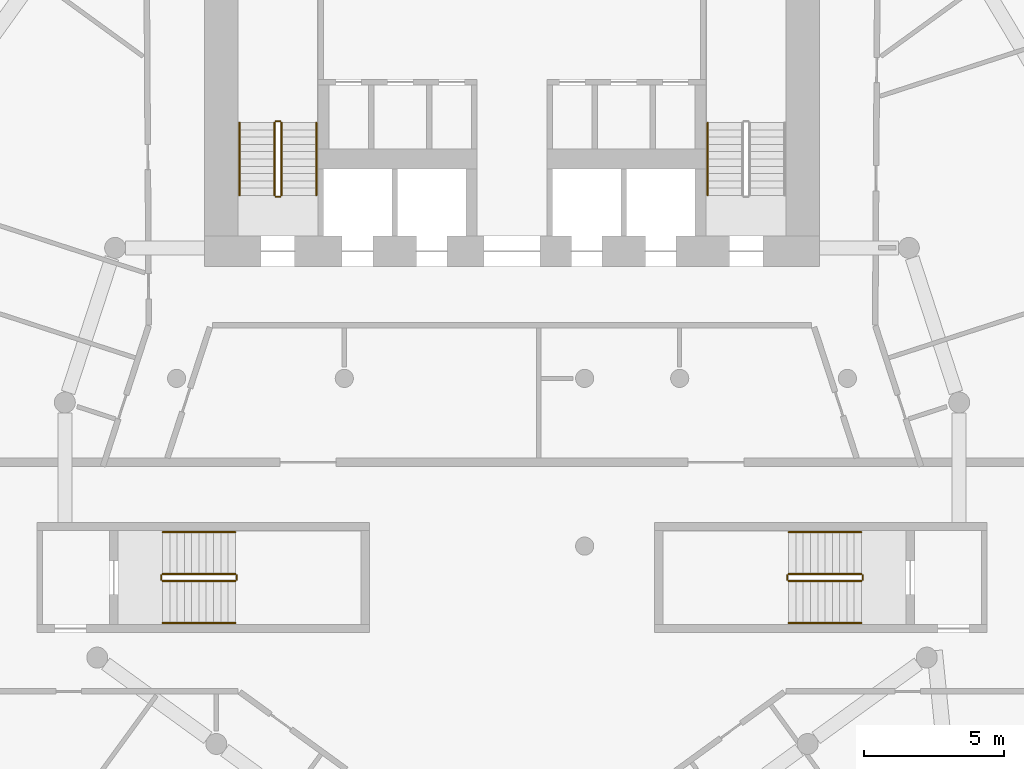
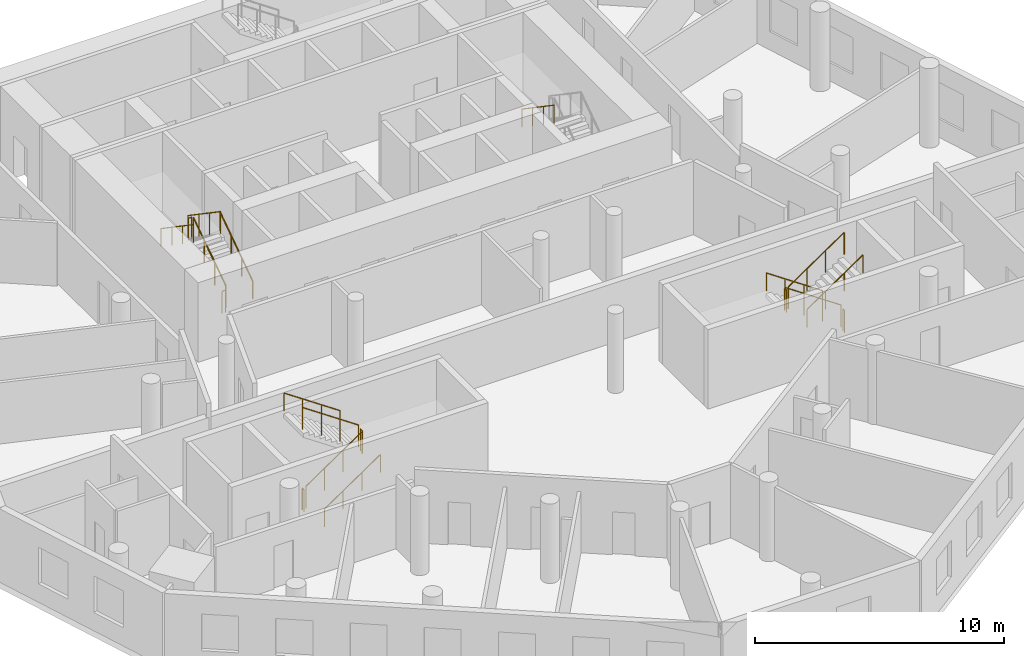
# One storey, part 8 of 9: 19 railings.
"""IFC4 building model written with IfcOpenShell, lengths in metres."""

import ifcopenshell
import ifcopenshell.guid

model = None  # the IFC model being written
_history = None  # IfcOwnerHistory: only IFC2X3 demands one
_inside = {}  # id of a spatial element -> (the spatial element, [elements in it])
_under = {}  # id of a project, library or spatial element -> (it, [spatial elements below it])
_declared = {}  # id of a project -> (the project, [libraries it declares])
_typed = {}  # id of a type object -> (the type object, [elements of that type])
_made_of = {}  # id of a material, layer set ... -> (it, [elements and type objects made of it])


def new_model(schema):
    """Start an empty IFC model of exactly this schema.

    Asked for "IFC4X3", IfcOpenShell would pick the latest addendum, in which some entities
    have other attributes; the version numbers below select the first issue.
    IFC2X3 requires an IfcOwnerHistory on every rooted entity: one is made here for all.
    """
    global model, _history
    if schema == "IFC4X3":
        model = ifcopenshell.file(schema_version=(4, 3, 0, 0))
    else:
        model = ifcopenshell.file(schema=schema)
    _inside.clear()
    _under.clear()
    _declared.clear()
    _typed.clear()
    _made_of.clear()
    _history = None
    if model.schema == "IFC2X3":
        org = make("IfcOrganization", Name="unknown")
        user = make(
            "IfcPersonAndOrganization",
            ThePerson=make("IfcPerson", FamilyName="unknown"),
            TheOrganization=org,
        )
        app = make(
            "IfcApplication",
            ApplicationDeveloper=org,
            Version="unknown",
            ApplicationFullName="unknown",
            ApplicationIdentifier="unknown",
        )
        _history = make(
            "IfcOwnerHistory",
            OwningUser=user,
            OwningApplication=app,
            ChangeAction="ADDED",
            CreationDate=0,
        )
    return model


def make(cls, **values):
    """One entity of the class cls with the attributes given. An attribute that is None is left unset."""
    return model.create_entity(
        cls, **{name: value for name, value in values.items() if value is not None}
    )


def rooted(cls, **values):
    """An entity with a GlobalId (a new one), such as an element, a storey or a relation."""
    return make(cls, GlobalId=ifcopenshell.guid.new(), OwnerHistory=_history, **values)


def si_unit(unit_type, name, prefix=None):
    """IfcSIUnit, for example si_unit("LENGTHUNIT", "METRE", prefix="MILLI")."""
    return make("IfcSIUnit", UnitType=unit_type, Prefix=prefix, Name=name)


def assignment(units):
    """IfcUnitAssignment: the units of a project."""
    return None if units is None else make("IfcUnitAssignment", Units=units)


def point(xyz):
    """IfcCartesianPoint."""
    return None if xyz is None else make("IfcCartesianPoint", Coordinates=xyz)


def direction(xyz):
    """IfcDirection."""
    return None if xyz is None else make("IfcDirection", DirectionRatios=xyz)


def frame(location, z_axis=None, x_axis=None):
    """IfcAxis2Placement3D, a coordinate frame: its origin and axes. An axis left out is left unset."""
    return make(
        "IfcAxis2Placement3D",
        Location=point(location),
        Axis=direction(z_axis),
        RefDirection=direction(x_axis),
    )


def frame_2d(location, x_axis=None):
    """IfcAxis2Placement2D, a coordinate frame in the plane: its origin and x axis."""
    return make(
        "IfcAxis2Placement2D", Location=point(location), RefDirection=direction(x_axis)
    )


def origin():
    """The frame at (0, 0, 0) with its axes left unset."""
    return frame((0.0, 0.0, 0.0))


def origin_2d():
    """The frame at (0, 0) in the plane with its x axis left unset."""
    return frame_2d((0.0, 0.0))


def place(relative_to, where):
    """IfcLocalPlacement: puts the frame where relative to a parent placement (None: the world)."""
    return make(
        "IfcLocalPlacement", PlacementRelTo=relative_to, RelativePlacement=where
    )


def context(
    kind, dimensions, precision=None, world=None, true_north=None, identifier=None
):
    """IfcGeometricRepresentationContext, for example the 3D "Model" context."""
    return make(
        "IfcGeometricRepresentationContext",
        ContextIdentifier=identifier,
        ContextType=kind,
        CoordinateSpaceDimension=dimensions,
        Precision=precision,
        WorldCoordinateSystem=world,
        TrueNorth=true_north,
    )


def subcontext(parent, identifier, kind, view, scale=None):
    """IfcGeometricRepresentationSubContext, for example "Body" below "Model"."""
    return make(
        "IfcGeometricRepresentationSubContext",
        ContextIdentifier=identifier,
        ContextType=kind,
        ParentContext=parent,
        TargetScale=scale,
        TargetView=view,
    )


def project(units=None, contexts=None):
    """IfcProject with its units and contexts."""
    return rooted(
        "IfcProject",
        Name="project",
        RepresentationContexts=contexts,
        UnitsInContext=assignment(units),
    )


def spatial(cls, under=None, at=None, **own):
    """A site, building, storey or space (cls), placed at a placement, below another one or the project."""
    s = rooted(cls, ObjectPlacement=at, **own)
    if under is not None:
        _under.setdefault(under.id(), (under, []))[1].append(s)
    return s


def profile(cls, at=None, kind="AREA", **sizes):
    """A parametric profile (cls). Its sizes go by their IFC names, for example OverallWidth=200.0."""
    return make(cls, ProfileType=kind, Position=at, **sizes)


def circle(**sizes):
    """IfcCircleProfileDef."""
    return profile("IfcCircleProfileDef", **sizes)


def extrude(swept, where, along, depth):
    """IfcExtrudedAreaSolid: the profile swept, set in the frame where, extruded along a direction by depth."""
    return make(
        "IfcExtrudedAreaSolid",
        SweptArea=swept,
        Position=where,
        ExtrudedDirection=direction(along),
        Depth=depth,
    )


def shape(context_of_items, identifier, shape_type, items):
    """IfcShapeRepresentation: the items that make up one representation, for example the "Body"."""
    return make(
        "IfcShapeRepresentation",
        ContextOfItems=context_of_items,
        RepresentationIdentifier=identifier,
        RepresentationType=shape_type,
        Items=items,
    )


def material(Name=None, Category=None):
    """IfcMaterial."""
    return make("IfcMaterial", Name=Name, Category=Category)


def made_of(thing, what):
    """Note that an element or type object is made of a material, layer set ...; save() writes the relation."""
    if what is not None:
        _made_of.setdefault(what.id(), (what, []))[1].append(thing)
    return thing


def type_object(cls, material=None, **own):
    """A type object (cls), such as IfcWallType, which elements share."""
    return made_of(rooted(cls, **own), material)


def element(
    cls,
    number,
    at=None,
    inside=None,
    cuts=None,
    type_object=None,
    material=None,
    context=None,
    identifier="Body",
    shape_type=None,
    held_by="IfcProductDefinitionShape",
    body=None,
    shapes=None,
    **own,
):
    """One element of the class cls, such as IfcWall. Its Tag is "e" and its number.

    at: its placement. inside: the storey or other place that contains it. cuts: it is an
    opening in that element (IfcRelVoidsElement). A single representation is given by context,
    identifier, shape_type and body (its items); several are given by shapes. held_by: the class
    of the entity that holds the representations. save() writes the other relations.
    """
    e = rooted(cls, Tag="e%d" % number, ObjectPlacement=at, **own)
    if body is not None:
        shapes = [shape(context, identifier, shape_type, body)]
    if shapes is not None:
        e.Representation = make(held_by, Representations=shapes)
    if inside is not None:
        _inside.setdefault(inside.id(), (inside, []))[1].append(e)
    if cuts is not None:
        rooted(
            "IfcRelVoidsElement", RelatingBuildingElement=cuts, RelatedOpeningElement=e
        )
    if type_object is not None:
        _typed.setdefault(type_object.id(), (type_object, []))[1].append(e)
    return made_of(e, material)


def aggregate(whole, parts):
    """IfcRelAggregates: a whole, such as a stair, and the parts it consists of."""
    return rooted("IfcRelAggregates", RelatingObject=whole, RelatedObjects=parts)


def save(model, path):
    """Write the relations noted so far, then the file.

    IfcRelAggregates (storeys below a building ...), IfcRelContainedInSpatialStructure (elements
    in a storey), IfcRelDefinesByType, IfcRelAssociatesMaterial and IfcRelDeclares: one each for
    every whole, place, type object, material and project.
    """
    for whole, parts in _under.values():
        aggregate(whole, parts)
    for where, things in _inside.values():
        rooted(
            "IfcRelContainedInSpatialStructure",
            RelatedElements=things,
            RelatingStructure=where,
        )
    for kind, things in _typed.values():
        rooted("IfcRelDefinesByType", RelatedObjects=things, RelatingType=kind)
    for what, things in _made_of.values():
        rooted("IfcRelAssociatesMaterial", RelatedObjects=things, RelatingMaterial=what)
    for by, libraries in _declared.values():
        rooted("IfcRelDeclares", RelatingContext=by, RelatedDefinitions=libraries)
    model.write(path)


model = new_model("IFC4")

# Units and contexts
model_context = context("Model", 3, precision=1e-05, world=origin(), true_north=direction((0.0, 1.0)))
body_context = subcontext(model_context, "Body", "Model", "MODEL_VIEW")
ifc_project = project(units=[si_unit("LENGTHUNIT", "METRE"), si_unit("AREAUNIT", "SQUARE_METRE"), si_unit("VOLUMEUNIT", "CUBIC_METRE"), si_unit("PLANEANGLEUNIT", "RADIAN"), si_unit("MASSUNIT", "GRAM", prefix="KILO")], contexts=[model_context])

# Site, building, storey
site_placement = place(None, origin())
site = spatial("IfcSite", under=ifc_project, at=site_placement, CompositionType="ELEMENT")
building_placement = place(site_placement, origin())
building = spatial("IfcBuilding", under=site, at=building_placement, Name="White Candle Pilgrim Tower", CompositionType="ELEMENT")
storey_placement = place(building_placement, frame((0.0, 0.0, 129.800048828125)))
storey = spatial("IfcBuildingStorey", under=building, at=storey_placement, Name="L29", CompositionType="ELEMENT", Elevation=129.800048828125)

# Railings
ifc_material = material(Name="Stainless steel", Category="steel")
railing_type_1 = type_object("IfcRailingType", Name="Stair guard stainless steel 1100 mm", PredefinedType="GUARDRAIL", material=ifc_material)
railing_1_placement = place(storey_placement, frame((61.75, 73.550048828125, 0.17724609375)))
element("IfcRailing", 1, at=railing_1_placement, inside=storey, type_object=railing_type_1, Name="L29 ST1 stair guard 1", PredefinedType="GUARDRAIL", context=body_context, shape_type="SweptSolid", body=[
    extrude(circle(Radius=0.02392578125, at=origin_2d()), frame((0.0, 0.0, 1.076171875), z_axis=(0.0, 0.826215852431, 0.563353676824), x_axis=(-1.0, 0.0, 0.0)), (0.0, 0.0, 1.0), 3.146728515625),
    extrude(circle(Radius=0.02099609375, at=origin_2d()), origin(), (0.0, 0.0, 1.0), 1.052001953125),
    extrude(circle(Radius=0.02099609375, at=origin_2d()), frame((0.0, 0.86669921875, 0.5908203125)), (0.0, 0.0, 1.0), 1.052001953125),
    extrude(circle(Radius=0.02099609375, at=origin_2d()), frame((0.0, 1.733154296875, 1.181884765625)), (0.0, 0.0, 1.0), 1.052001953125),
    extrude(circle(Radius=0.02099609375, at=origin_2d()), frame((0.0, 2.599853515625, 1.772705078125)), (0.0, 0.0, 1.0), 1.052001953125),
])
railing_2_placement = place(storey_placement, frame((61.699951171875, 76.199951171875, 1.949951171875)))
element("IfcRailing", 2, at=railing_2_placement, inside=storey, type_object=railing_type_1, Name="L29 ST1 stair guard 2", PredefinedType="GUARDRAIL", context=body_context, shape_type="SweptSolid", body=[
    extrude(circle(Radius=0.02392578125, at=origin_2d()), frame((0.0, 0.0, 1.076171875), z_axis=(-1.0, 0.0, 0.0), x_axis=(0.0, -1.0, 0.0)), (0.0, 0.0, 1.0), 0.14990234375),
    extrude(circle(Radius=0.02099609375, at=origin_2d()), origin(), (0.0, 0.0, 1.0), 1.052001953125),
    extrude(circle(Radius=0.02099609375, at=origin_2d()), frame((-0.14990234375, 0.0, 0.0)), (0.0, 0.0, 1.0), 1.052001953125),
])
railing_3_placement = place(storey_placement, frame((61.5, 76.14990234375, 2.127197265625)))
element("IfcRailing", 3, at=railing_3_placement, inside=storey, type_object=railing_type_1, Name="L29 ST1 stair guard 3", PredefinedType="GUARDRAIL", context=body_context, shape_type="SweptSolid", body=[
    extrude(circle(Radius=0.02392578125, at=origin_2d()), frame((0.0, 0.0, 1.076171875), z_axis=(0.0, -0.826215852431, 0.563353676824), x_axis=(1.0, 0.0, 0.0)), (0.0, 0.0, 1.0), 3.146728515625),
    extrude(circle(Radius=0.02099609375, at=origin_2d()), origin(), (0.0, 0.0, 1.0), 1.052001953125),
    extrude(circle(Radius=0.02099609375, at=origin_2d()), frame((0.0, -0.86669921875, 0.5908203125)), (0.0, 0.0, 1.0), 1.052001953125),
    extrude(circle(Radius=0.02099609375, at=origin_2d()), frame((0.0, -1.733154296875, 1.181884765625)), (0.0, 0.0, 1.0), 1.052001953125),
    extrude(circle(Radius=0.02099609375, at=origin_2d()), frame((0.0, -2.599853515625, 1.772705078125)), (0.0, 0.0, 1.0), 1.052001953125),
])
railing_4_placement = place(storey_placement, frame((61.699951171875, 73.5, 0.0)))
element("IfcRailing", 4, at=railing_4_placement, inside=storey, type_object=railing_type_1, Name="L29 ST1 stair guard 4", PredefinedType="GUARDRAIL", context=body_context, shape_type="SweptSolid", body=[
    extrude(circle(Radius=0.02392578125, at=origin_2d()), frame((0.0, 0.0, 1.076171875), z_axis=(-1.0, 0.0, 0.0), x_axis=(0.0, -1.0, 0.0)), (0.0, 0.0, 1.0), 0.14990234375),
    extrude(circle(Radius=0.02099609375, at=origin_2d()), origin(), (0.0, 0.0, 1.0), 1.052001953125),
    extrude(circle(Radius=0.02099609375, at=origin_2d()), frame((-0.14990234375, 0.0, 0.0)), (0.0, 0.0, 1.0), 1.052001953125),
])
railing_5_placement = place(storey_placement, frame((82.5, 60.0, 0.17724609375)))
element("IfcRailing", 5, at=railing_5_placement, inside=storey, type_object=railing_type_1, Name="L29 ST4 stair guard 1", PredefinedType="GUARDRAIL", context=body_context, shape_type="SweptSolid", body=[
    extrude(circle(Radius=0.02392578125, at=origin_2d()), frame((0.0, 0.0, 1.076171875), z_axis=(-0.826240473404, 0.0, 0.563317565952), x_axis=(0.0, -1.0, 0.0)), (0.0, 0.0, 1.0), 3.14697265625),
    extrude(circle(Radius=0.02099609375, at=origin_2d()), origin(), (0.0, 0.0, 1.0), 1.052001953125),
    extrude(circle(Radius=0.02099609375, at=origin_2d()), frame((-0.86669921875, 0.0, 0.5908203125)), (0.0, 0.0, 1.0), 1.052001953125),
    extrude(circle(Radius=0.02099609375, at=origin_2d()), frame((-1.7333984375, 0.0, 1.181884765625)), (0.0, 0.0, 1.0), 1.052001953125),
    extrude(circle(Radius=0.02099609375, at=origin_2d()), frame((-2.60009765625, 0.0, 1.772705078125)), (0.0, 0.0, 1.0), 1.052001953125),
])
railing_6_placement = place(storey_placement, frame((79.85009765625, 59.949951171875, 1.949951171875)))
element("IfcRailing", 6, at=railing_6_placement, inside=storey, type_object=railing_type_1, Name="L29 ST4 stair guard 2", PredefinedType="GUARDRAIL", context=body_context, shape_type="SweptSolid", body=[
    extrude(circle(Radius=0.02392578125, at=origin_2d()), frame((0.0, 0.0, 1.076171875), z_axis=(0.0, -1.0, 0.0), x_axis=(1.0, 0.0, 0.0)), (0.0, 0.0, 1.0), 0.14990234375),
    extrude(circle(Radius=0.02099609375, at=origin_2d()), origin(), (0.0, 0.0, 1.0), 1.052001953125),
    extrude(circle(Radius=0.02099609375, at=origin_2d()), frame((0.0, -0.14990234375, 0.0)), (0.0, 0.0, 1.0), 1.052001953125),
])
railing_7_placement = place(storey_placement, frame((79.89990234375, 59.75, 2.127197265625)))
element("IfcRailing", 7, at=railing_7_placement, inside=storey, type_object=railing_type_1, Name="L29 ST4 stair guard 3", PredefinedType="GUARDRAIL", context=body_context, shape_type="SweptSolid", body=[
    extrude(circle(Radius=0.02392578125, at=origin_2d()), frame((0.0, 0.0, 1.076171875), z_axis=(0.826240473404, 0.0, 0.563317565952), x_axis=(0.0, 1.0, 0.0)), (0.0, 0.0, 1.0), 3.14697265625),
    extrude(circle(Radius=0.02099609375, at=origin_2d()), origin(), (0.0, 0.0, 1.0), 1.052001953125),
    extrude(circle(Radius=0.02099609375, at=origin_2d()), frame((0.86669921875, 0.0, 0.5908203125)), (0.0, 0.0, 1.0), 1.052001953125),
    extrude(circle(Radius=0.02099609375, at=origin_2d()), frame((1.7333984375, 0.0, 1.181884765625)), (0.0, 0.0, 1.0), 1.052001953125),
    extrude(circle(Radius=0.02099609375, at=origin_2d()), frame((2.60009765625, 0.0, 1.772705078125)), (0.0, 0.0, 1.0), 1.052001953125),
])
railing_8_placement = place(storey_placement, frame((82.550048828125, 59.949951171875, 0.0)))
element("IfcRailing", 8, at=railing_8_placement, inside=storey, type_object=railing_type_1, Name="L29 ST4 stair guard 4", PredefinedType="GUARDRAIL", context=body_context, shape_type="SweptSolid", body=[
    extrude(circle(Radius=0.02392578125, at=origin_2d()), frame((0.0, 0.0, 1.076171875), z_axis=(0.0, -1.0, 0.0), x_axis=(1.0, 0.0, 0.0)), (0.0, 0.0, 1.0), 0.14990234375),
    extrude(circle(Radius=0.02099609375, at=origin_2d()), origin(), (0.0, 0.0, 1.0), 1.052001953125),
    extrude(circle(Radius=0.02099609375, at=origin_2d()), frame((0.0, -0.14990234375, 0.0)), (0.0, 0.0, 1.0), 1.052001953125),
])
railing_9_placement = place(storey_placement, frame((57.5, 59.75, 0.17724609375)))
element("IfcRailing", 9, at=railing_9_placement, inside=storey, type_object=railing_type_1, Name="L29 ST5 stair guard 1", PredefinedType="GUARDRAIL", context=body_context, shape_type="SweptSolid", body=[
    extrude(circle(Radius=0.02392578125, at=origin_2d()), frame((0.0, 0.0, 1.076171875), z_axis=(0.826240473404, 0.0, 0.563317565952), x_axis=(0.0, 1.0, 0.0)), (0.0, 0.0, 1.0), 3.14697265625),
    extrude(circle(Radius=0.02099609375, at=origin_2d()), origin(), (0.0, 0.0, 1.0), 1.052001953125),
    extrude(circle(Radius=0.02099609375, at=origin_2d()), frame((0.86669921875, 0.0, 0.5908203125)), (0.0, 0.0, 1.0), 1.052001953125),
    extrude(circle(Radius=0.02099609375, at=origin_2d()), frame((1.7333984375, 0.0, 1.181884765625)), (0.0, 0.0, 1.0), 1.052001953125),
    extrude(circle(Radius=0.02099609375, at=origin_2d()), frame((2.60009765625, 0.0, 1.772705078125)), (0.0, 0.0, 1.0), 1.052001953125),
])
railing_10_placement = place(storey_placement, frame((60.14990234375, 59.800048828125, 1.949951171875)))
element("IfcRailing", 10, at=railing_10_placement, inside=storey, type_object=railing_type_1, Name="L29 ST5 stair guard 2", PredefinedType="GUARDRAIL", context=body_context, shape_type="SweptSolid", body=[
    extrude(circle(Radius=0.02392578125, at=origin_2d()), frame((0.0, 0.0, 1.076171875), z_axis=(0.0, 1.0, 0.0), x_axis=(-1.0, 0.0, 0.0)), (0.0, 0.0, 1.0), 0.14990234375),
    extrude(circle(Radius=0.02099609375, at=origin_2d()), origin(), (0.0, 0.0, 1.0), 1.052001953125),
    extrude(circle(Radius=0.02099609375, at=origin_2d()), frame((0.0, 0.14990234375, 0.0)), (0.0, 0.0, 1.0), 1.052001953125),
])
railing_11_placement = place(storey_placement, frame((60.10009765625, 60.0, 2.127197265625)))
element("IfcRailing", 11, at=railing_11_placement, inside=storey, type_object=railing_type_1, Name="L29 ST5 stair guard 3", PredefinedType="GUARDRAIL", context=body_context, shape_type="SweptSolid", body=[
    extrude(circle(Radius=0.02392578125, at=origin_2d()), frame((0.0, 0.0, 1.076171875), z_axis=(-0.826240473404, 0.0, 0.563317565952), x_axis=(0.0, -1.0, 0.0)), (0.0, 0.0, 1.0), 3.14697265625),
    extrude(circle(Radius=0.02099609375, at=origin_2d()), origin(), (0.0, 0.0, 1.0), 1.052001953125),
    extrude(circle(Radius=0.02099609375, at=origin_2d()), frame((-0.86669921875, 0.0, 0.5908203125)), (0.0, 0.0, 1.0), 1.052001953125),
    extrude(circle(Radius=0.02099609375, at=origin_2d()), frame((-1.7333984375, 0.0, 1.181884765625)), (0.0, 0.0, 1.0), 1.052001953125),
    extrude(circle(Radius=0.02099609375, at=origin_2d()), frame((-2.60009765625, 0.0, 1.772705078125)), (0.0, 0.0, 1.0), 1.052001953125),
])
railing_12_placement = place(storey_placement, frame((57.449951171875, 59.800048828125, 0.0)))
element("IfcRailing", 12, at=railing_12_placement, inside=storey, type_object=railing_type_1, Name="L29 ST5 stair guard 4", PredefinedType="GUARDRAIL", context=body_context, shape_type="SweptSolid", body=[
    extrude(circle(Radius=0.02392578125, at=origin_2d()), frame((0.0, 0.0, 1.076171875), z_axis=(0.0, 1.0, 0.0), x_axis=(-1.0, 0.0, 0.0)), (0.0, 0.0, 1.0), 0.14990234375),
    extrude(circle(Radius=0.02099609375, at=origin_2d()), origin(), (0.0, 0.0, 1.0), 1.052001953125),
    extrude(circle(Radius=0.02099609375, at=origin_2d()), frame((0.0, 0.14990234375, 0.0)), (0.0, 0.0, 1.0), 1.052001953125),
])
railing_type_2 = type_object("IfcRailingType", Name="Stair handrail stainless steel", PredefinedType="HANDRAIL", material=ifc_material)
railing_13_placement = place(storey_placement, frame((63.0, 73.550048828125, 0.17724609375)))
element("IfcRailing", 13, at=railing_13_placement, inside=storey, type_object=railing_type_2, Name="L29 ST1 stair handrail 1", PredefinedType="HANDRAIL", context=body_context, shape_type="SweptSolid", body=[
    extrude(circle(Radius=0.02392578125, at=origin_2d()), frame((0.0, 0.0, 0.8759765625), z_axis=(0.0, 0.826215852431, 0.563353676824), x_axis=(-1.0, 0.0, 0.0)), (0.0, 0.0, 1.0), 3.146728515625),
    extrude(circle(Radius=0.02099609375, at=origin_2d()), origin(), (0.0, 0.0, 1.0), 0.851806640625),
    extrude(circle(Radius=0.02099609375, at=origin_2d()), frame((0.0, 0.86669921875, 0.5908203125)), (0.0, 0.0, 1.0), 0.851806640625),
    extrude(circle(Radius=0.02099609375, at=origin_2d()), frame((0.0, 1.733154296875, 1.181884765625)), (0.0, 0.0, 1.0), 0.851806640625),
    extrude(circle(Radius=0.02099609375, at=origin_2d()), frame((0.0, 2.599853515625, 1.772705078125)), (0.0, 0.0, 1.0), 0.851806640625),
])
for number, where, name in (
    (14, (60.25, 76.14990234375, 2.127197265625), "L29 ST1 stair handrail 2"),
    (15, (77.0, 76.14990234375, 2.127197265625), "L29 ST2 stair handrail 2"),
):
    element("IfcRailing", number, at=place(storey_placement, frame(where)), inside=storey, type_object=railing_type_2, Name=name, PredefinedType="HANDRAIL", context=body_context, shape_type="SweptSolid", body=[
        extrude(circle(Radius=0.02392578125, at=origin_2d()), frame((0.0, 0.0, 0.8759765625), z_axis=(0.0, -0.826215852431, 0.563353676824), x_axis=(1.0, 0.0, 0.0)), (0.0, 0.0, 1.0), 3.146728515625),
        extrude(circle(Radius=0.02099609375, at=origin_2d()), origin(), (0.0, 0.0, 1.0), 0.851806640625),
        extrude(circle(Radius=0.02099609375, at=origin_2d()), frame((0.0, -0.86669921875, 0.5908203125)), (0.0, 0.0, 1.0), 0.851806640625),
        extrude(circle(Radius=0.02099609375, at=origin_2d()), frame((0.0, -1.733154296875, 1.181884765625)), (0.0, 0.0, 1.0), 0.851806640625),
        extrude(circle(Radius=0.02099609375, at=origin_2d()), frame((0.0, -2.599853515625, 1.772705078125)), (0.0, 0.0, 1.0), 0.851806640625),
    ])
railing_14_placement = place(storey_placement, frame((82.5, 61.5, 0.17724609375)))
element("IfcRailing", 16, at=railing_14_placement, inside=storey, type_object=railing_type_2, Name="L29 ST4 stair handrail 1", PredefinedType="HANDRAIL", context=body_context, shape_type="SweptSolid", body=[
    extrude(circle(Radius=0.02392578125, at=origin_2d()), frame((0.0, 0.0, 0.8759765625), z_axis=(-0.826240473404, 0.0, 0.563317565952), x_axis=(0.0, -1.0, 0.0)), (0.0, 0.0, 1.0), 3.14697265625),
    extrude(circle(Radius=0.02099609375, at=origin_2d()), origin(), (0.0, 0.0, 1.0), 0.851806640625),
    extrude(circle(Radius=0.02099609375, at=origin_2d()), frame((-0.86669921875, 0.0, 0.5908203125)), (0.0, 0.0, 1.0), 0.851806640625),
    extrude(circle(Radius=0.02099609375, at=origin_2d()), frame((-1.7333984375, 0.0, 1.181884765625)), (0.0, 0.0, 1.0), 0.851806640625),
    extrude(circle(Radius=0.02099609375, at=origin_2d()), frame((-2.60009765625, 0.0, 1.772705078125)), (0.0, 0.0, 1.0), 0.851806640625),
])
for number, where, name in (
    (17, (79.89990234375, 58.25, 2.127197265625), "L29 ST4 stair handrail 2"),
    (18, (57.5, 58.25, 0.17724609375), "L29 ST5 stair handrail 1"),
):
    element("IfcRailing", number, at=place(storey_placement, frame(where)), inside=storey, type_object=railing_type_2, Name=name, PredefinedType="HANDRAIL", context=body_context, shape_type="SweptSolid", body=[
        extrude(circle(Radius=0.02392578125, at=origin_2d()), frame((0.0, 0.0, 0.8759765625), z_axis=(0.826240473404, 0.0, 0.563317565952), x_axis=(0.0, 1.0, 0.0)), (0.0, 0.0, 1.0), 3.14697265625),
        extrude(circle(Radius=0.02099609375, at=origin_2d()), origin(), (0.0, 0.0, 1.0), 0.851806640625),
        extrude(circle(Radius=0.02099609375, at=origin_2d()), frame((0.86669921875, 0.0, 0.5908203125)), (0.0, 0.0, 1.0), 0.851806640625),
        extrude(circle(Radius=0.02099609375, at=origin_2d()), frame((1.7333984375, 0.0, 1.181884765625)), (0.0, 0.0, 1.0), 0.851806640625),
        extrude(circle(Radius=0.02099609375, at=origin_2d()), frame((2.60009765625, 0.0, 1.772705078125)), (0.0, 0.0, 1.0), 0.851806640625),
    ])
railing_15_placement = place(storey_placement, frame((60.10009765625, 61.5, 2.127197265625)))
element("IfcRailing", 19, at=railing_15_placement, inside=storey, type_object=railing_type_2, Name="L29 ST5 stair handrail 2", PredefinedType="HANDRAIL", context=body_context, shape_type="SweptSolid", body=[
    extrude(circle(Radius=0.02392578125, at=origin_2d()), frame((0.0, 0.0, 0.8759765625), z_axis=(-0.826240473404, 0.0, 0.563317565952), x_axis=(0.0, -1.0, 0.0)), (0.0, 0.0, 1.0), 3.14697265625),
    extrude(circle(Radius=0.02099609375, at=origin_2d()), origin(), (0.0, 0.0, 1.0), 0.851806640625),
    extrude(circle(Radius=0.02099609375, at=origin_2d()), frame((-0.86669921875, 0.0, 0.5908203125)), (0.0, 0.0, 1.0), 0.851806640625),
    extrude(circle(Radius=0.02099609375, at=origin_2d()), frame((-1.7333984375, 0.0, 1.181884765625)), (0.0, 0.0, 1.0), 0.851806640625),
    extrude(circle(Radius=0.02099609375, at=origin_2d()), frame((-2.60009765625, 0.0, 1.772705078125)), (0.0, 0.0, 1.0), 0.851806640625),
])

save(model, "model.ifc")
